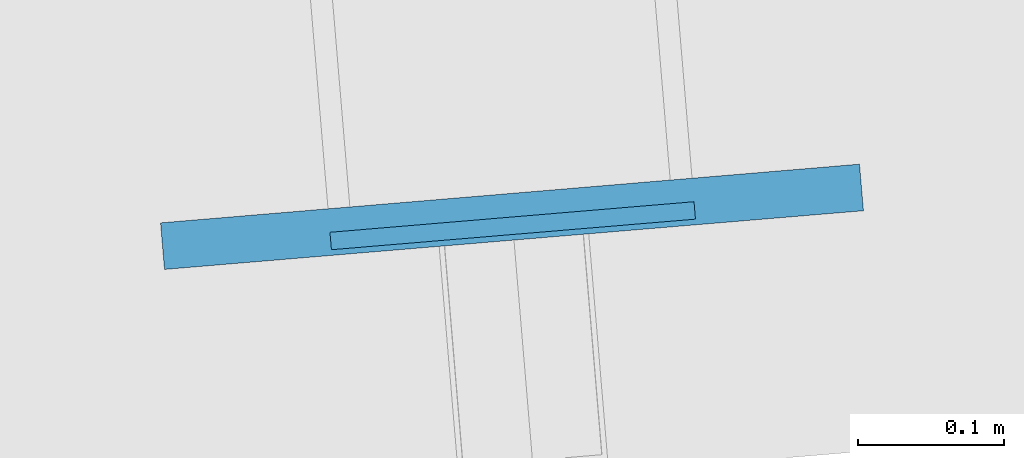
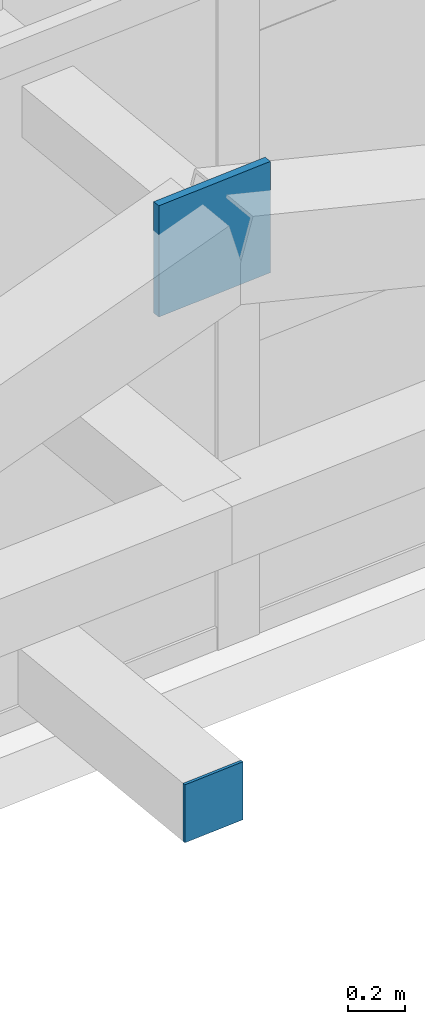
# One storey, part 35 of 44: 2 plates.
"""IFC4 building model written with IfcOpenShell, lengths in metres."""

import ifcopenshell
import ifcopenshell.guid

model = None  # the IFC model being written
_history = None  # IfcOwnerHistory: only IFC2X3 demands one
_inside = {}  # id of a spatial element -> (the spatial element, [elements in it])
_under = {}  # id of a project, library or spatial element -> (it, [spatial elements below it])
_declared = {}  # id of a project -> (the project, [libraries it declares])
_typed = {}  # id of a type object -> (the type object, [elements of that type])
_made_of = {}  # id of a material, layer set ... -> (it, [elements and type objects made of it])


def new_model(schema):
    """Start an empty IFC model of exactly this schema.

    Asked for "IFC4X3", IfcOpenShell would pick the latest addendum, in which some entities
    have other attributes; the version numbers below select the first issue.
    IFC2X3 requires an IfcOwnerHistory on every rooted entity: one is made here for all.
    """
    global model, _history
    if schema == "IFC4X3":
        model = ifcopenshell.file(schema_version=(4, 3, 0, 0))
    else:
        model = ifcopenshell.file(schema=schema)
    _inside.clear()
    _under.clear()
    _declared.clear()
    _typed.clear()
    _made_of.clear()
    _history = None
    if model.schema == "IFC2X3":
        org = make("IfcOrganization", Name="unknown")
        user = make(
            "IfcPersonAndOrganization",
            ThePerson=make("IfcPerson", FamilyName="unknown"),
            TheOrganization=org,
        )
        app = make(
            "IfcApplication",
            ApplicationDeveloper=org,
            Version="unknown",
            ApplicationFullName="unknown",
            ApplicationIdentifier="unknown",
        )
        _history = make(
            "IfcOwnerHistory",
            OwningUser=user,
            OwningApplication=app,
            ChangeAction="ADDED",
            CreationDate=0,
        )
    return model


def make(cls, **values):
    """One entity of the class cls with the attributes given. An attribute that is None is left unset."""
    return model.create_entity(
        cls, **{name: value for name, value in values.items() if value is not None}
    )


def rooted(cls, **values):
    """An entity with a GlobalId (a new one), such as an element, a storey or a relation."""
    return make(cls, GlobalId=ifcopenshell.guid.new(), OwnerHistory=_history, **values)


def si_unit(unit_type, name, prefix=None):
    """IfcSIUnit, for example si_unit("LENGTHUNIT", "METRE", prefix="MILLI")."""
    return make("IfcSIUnit", UnitType=unit_type, Prefix=prefix, Name=name)


def assignment(units):
    """IfcUnitAssignment: the units of a project."""
    return None if units is None else make("IfcUnitAssignment", Units=units)


def point(xyz):
    """IfcCartesianPoint."""
    return None if xyz is None else make("IfcCartesianPoint", Coordinates=xyz)


def direction(xyz):
    """IfcDirection."""
    return None if xyz is None else make("IfcDirection", DirectionRatios=xyz)


def frame(location, z_axis=None, x_axis=None):
    """IfcAxis2Placement3D, a coordinate frame: its origin and axes. An axis left out is left unset."""
    return make(
        "IfcAxis2Placement3D",
        Location=point(location),
        Axis=direction(z_axis),
        RefDirection=direction(x_axis),
    )


def frame_2d(location, x_axis=None):
    """IfcAxis2Placement2D, a coordinate frame in the plane: its origin and x axis."""
    return make(
        "IfcAxis2Placement2D", Location=point(location), RefDirection=direction(x_axis)
    )


def origin():
    """The frame at (0, 0, 0) with its axes left unset."""
    return frame((0.0, 0.0, 0.0))


def origin_2d():
    """The frame at (0, 0) in the plane with its x axis left unset."""
    return frame_2d((0.0, 0.0))


def place(relative_to, where):
    """IfcLocalPlacement: puts the frame where relative to a parent placement (None: the world)."""
    return make(
        "IfcLocalPlacement", PlacementRelTo=relative_to, RelativePlacement=where
    )


def context(
    kind, dimensions, precision=None, world=None, true_north=None, identifier=None
):
    """IfcGeometricRepresentationContext, for example the 3D "Model" context."""
    return make(
        "IfcGeometricRepresentationContext",
        ContextIdentifier=identifier,
        ContextType=kind,
        CoordinateSpaceDimension=dimensions,
        Precision=precision,
        WorldCoordinateSystem=world,
        TrueNorth=true_north,
    )


def subcontext(parent, identifier, kind, view, scale=None):
    """IfcGeometricRepresentationSubContext, for example "Body" below "Model"."""
    return make(
        "IfcGeometricRepresentationSubContext",
        ContextIdentifier=identifier,
        ContextType=kind,
        ParentContext=parent,
        TargetScale=scale,
        TargetView=view,
    )


def project(units=None, contexts=None):
    """IfcProject with its units and contexts."""
    return rooted(
        "IfcProject",
        Name="project",
        RepresentationContexts=contexts,
        UnitsInContext=assignment(units),
    )


def spatial(cls, under=None, at=None, **own):
    """A site, building, storey or space (cls), placed at a placement, below another one or the project."""
    s = rooted(cls, ObjectPlacement=at, **own)
    if under is not None:
        _under.setdefault(under.id(), (under, []))[1].append(s)
    return s


def profile(cls, at=None, kind="AREA", **sizes):
    """A parametric profile (cls). Its sizes go by their IFC names, for example OverallWidth=200.0."""
    return make(cls, ProfileType=kind, Position=at, **sizes)


def rectangle(**sizes):
    """IfcRectangleProfileDef."""
    return profile("IfcRectangleProfileDef", **sizes)


def extrude(swept, where, along, depth):
    """IfcExtrudedAreaSolid: the profile swept, set in the frame where, extruded along a direction by depth."""
    return make(
        "IfcExtrudedAreaSolid",
        SweptArea=swept,
        Position=where,
        ExtrudedDirection=direction(along),
        Depth=depth,
    )


def shape(context_of_items, identifier, shape_type, items):
    """IfcShapeRepresentation: the items that make up one representation, for example the "Body"."""
    return make(
        "IfcShapeRepresentation",
        ContextOfItems=context_of_items,
        RepresentationIdentifier=identifier,
        RepresentationType=shape_type,
        Items=items,
    )


def source(mapping_origin, context_of_items, identifier, shape_type, items):
    """IfcRepresentationMap: a shape defined once, which mapped items show again and again."""
    return make(
        "IfcRepresentationMap",
        MappingOrigin=mapping_origin,
        MappedRepresentation=shape(context_of_items, identifier, shape_type, items),
    )


def transform(
    local_origin,
    x_axis=None,
    y_axis=None,
    z_axis=None,
    scale=None,
    scale2=None,
    scale3=None,
    uniform=True,
):
    """IfcCartesianTransformationOperator3D, or its non-uniform kind. x_axis, y_axis, z_axis: its Axis1, 2, 3."""
    if uniform:
        return make(
            "IfcCartesianTransformationOperator3D",
            Axis1=direction(x_axis),
            Axis2=direction(y_axis),
            LocalOrigin=point(local_origin),
            Scale=scale,
            Axis3=direction(z_axis),
        )
    return make(
        "IfcCartesianTransformationOperator3DnonUniform",
        Axis1=direction(x_axis),
        Axis2=direction(y_axis),
        LocalOrigin=point(local_origin),
        Scale=scale,
        Axis3=direction(z_axis),
        Scale2=scale2,
        Scale3=scale3,
    )


def mapped(mapping_source, mapping_target):
    """IfcMappedItem: shows the shape of a source again, moved by a transform."""
    return make(
        "IfcMappedItem", MappingSource=mapping_source, MappingTarget=mapping_target
    )


def material(Name=None, Category=None):
    """IfcMaterial."""
    return make("IfcMaterial", Name=Name, Category=Category)


def layer(
    of_material, thickness, ventilated=None, Name=None, Category=None, Priority=None
):
    """IfcMaterialLayer: one layer of a wall or slab, of a material (None: an air gap)."""
    return make(
        "IfcMaterialLayer",
        Material=of_material,
        LayerThickness=thickness,
        IsVentilated=ventilated,
        Name=Name,
        Category=Category,
        Priority=Priority,
    )


def layer_set(layers, Name=None):
    """IfcMaterialLayerSet."""
    return make("IfcMaterialLayerSet", MaterialLayers=layers, LayerSetName=Name)


def made_of(thing, what):
    """Note that an element or type object is made of a material, layer set ...; save() writes the relation."""
    if what is not None:
        _made_of.setdefault(what.id(), (what, []))[1].append(thing)
    return thing


def type_object(cls, material=None, **own):
    """A type object (cls), such as IfcWallType, which elements share."""
    return made_of(rooted(cls, **own), material)


def element(
    cls,
    number,
    at=None,
    inside=None,
    cuts=None,
    type_object=None,
    material=None,
    context=None,
    identifier="Body",
    shape_type=None,
    held_by="IfcProductDefinitionShape",
    body=None,
    shapes=None,
    **own,
):
    """One element of the class cls, such as IfcWall. Its Tag is "e" and its number.

    at: its placement. inside: the storey or other place that contains it. cuts: it is an
    opening in that element (IfcRelVoidsElement). A single representation is given by context,
    identifier, shape_type and body (its items); several are given by shapes. held_by: the class
    of the entity that holds the representations. save() writes the other relations.
    """
    e = rooted(cls, Tag="e%d" % number, ObjectPlacement=at, **own)
    if body is not None:
        shapes = [shape(context, identifier, shape_type, body)]
    if shapes is not None:
        e.Representation = make(held_by, Representations=shapes)
    if inside is not None:
        _inside.setdefault(inside.id(), (inside, []))[1].append(e)
    if cuts is not None:
        rooted(
            "IfcRelVoidsElement", RelatingBuildingElement=cuts, RelatedOpeningElement=e
        )
    if type_object is not None:
        _typed.setdefault(type_object.id(), (type_object, []))[1].append(e)
    return made_of(e, material)


def aggregate(whole, parts):
    """IfcRelAggregates: a whole, such as a stair, and the parts it consists of."""
    return rooted("IfcRelAggregates", RelatingObject=whole, RelatedObjects=parts)


def save(model, path):
    """Write the relations noted so far, then the file.

    IfcRelAggregates (storeys below a building ...), IfcRelContainedInSpatialStructure (elements
    in a storey), IfcRelDefinesByType, IfcRelAssociatesMaterial and IfcRelDeclares: one each for
    every whole, place, type object, material and project.
    """
    for whole, parts in _under.values():
        aggregate(whole, parts)
    for where, things in _inside.values():
        rooted(
            "IfcRelContainedInSpatialStructure",
            RelatedElements=things,
            RelatingStructure=where,
        )
    for kind, things in _typed.values():
        rooted("IfcRelDefinesByType", RelatedObjects=things, RelatingType=kind)
    for what, things in _made_of.values():
        rooted("IfcRelAssociatesMaterial", RelatedObjects=things, RelatingMaterial=what)
    for by, libraries in _declared.values():
        rooted("IfcRelDeclares", RelatingContext=by, RelatedDefinitions=libraries)
    model.write(path)


model = new_model("IFC4")

# Units and contexts
model_context = context("Model", 3, precision=1e-05, world=origin(), true_north=direction((0.0, 1.0)))
body_context = subcontext(model_context, "Body", "Model", "MODEL_VIEW")
ifc_project = project(units=[si_unit("LENGTHUNIT", "METRE"), si_unit("AREAUNIT", "SQUARE_METRE"), si_unit("VOLUMEUNIT", "CUBIC_METRE"), si_unit("PLANEANGLEUNIT", "RADIAN"), si_unit("MASSUNIT", "GRAM", prefix="KILO")], contexts=[model_context])

# Site, building, storey
site_placement = place(None, origin())
site = spatial("IfcSite", under=ifc_project, at=site_placement, CompositionType="ELEMENT")
building_placement = place(site_placement, origin())
building = spatial("IfcBuilding", under=site, at=building_placement, Name="Taldren Reach Tower", CompositionType="ELEMENT")
storey_placement = place(building_placement, frame((0.0, 0.0, 191.449951171875)))
storey = spatial("IfcBuildingStorey", under=building, at=storey_placement, Name="L58", CompositionType="ELEMENT", Elevation=191.449951171875)

# Plates
ifc_material_1 = material(Name="Steel Gr 350 (C350L0)", Category="steel")
ifc_layer_1 = layer(ifc_material_1, 0.011962890625)
ifc_layer_set_1 = layer_set([ifc_layer_1], Name="Steel Gr 350 (C350L0)")
plate_type_1 = type_object("IfcPlateType", Name="PL-CAP-250", PredefinedType="SHEET", material=ifc_layer_set_1)
shared_shape_1 = source(origin(), body_context, "Body", "SweptSolid", [
    extrude(rectangle(XDim=0.25, YDim=0.011962890625, at=origin_2d()), origin(), (0.0, 0.0, 1.0), 0.25),
])
plate_1_placement = place(storey_placement, frame((42.623779296875, 2.596923828125, 0.094970703125), z_axis=(0.0, 0.0, 1.0), x_axis=(0.99649285925, 0.083677843332, 0.0)))
element("IfcPlate", 1, at=plate_1_placement, inside=storey, type_object=plate_type_1, Name="Tie strut end cap plate B4-S4 L58", PredefinedType="SHEET", context=body_context, shape_type="MappedRepresentation", body=[
    mapped(shared_shape_1, transform((0.0, 0.0, 0.0), scale=1.0)),
])
ifc_material_2 = material(Name="Steel Gr 450 (C450L0)", Category="steel")
ifc_layer_2 = layer(ifc_material_2, 0.031982421875)
ifc_layer_set_2 = layer_set([ifc_layer_2], Name="Steel Gr 450 (C450L0)")
plate_type_2 = type_object("IfcPlateType", Name="PL-GUSSET-32", PredefinedType="SHEET", material=ifc_layer_set_2)
shared_shape_2 = source(origin(), body_context, "Body", "SweptSolid", [
    extrude(rectangle(XDim=0.47998046875, YDim=0.031982421875, at=origin_2d()), origin(), (0.0, 0.0, 1.0), 0.47998046875),
])
plate_2_placement = place(storey_placement, frame((42.623291015625, 2.60302734375, 2.41015625), z_axis=(0.0, 0.0, 1.0), x_axis=(0.99649285925, 0.083677843332, 0.0)))
element("IfcPlate", 2, at=plate_2_placement, inside=storey, type_object=plate_type_2, Name="Exoskeleton star-node gusset plate B4-S4 L58", PredefinedType="SHEET", context=body_context, shape_type="MappedRepresentation", body=[
    mapped(shared_shape_2, transform((0.0, 0.0, 0.0), scale=1.0)),
])

save(model, "model.ifc")
